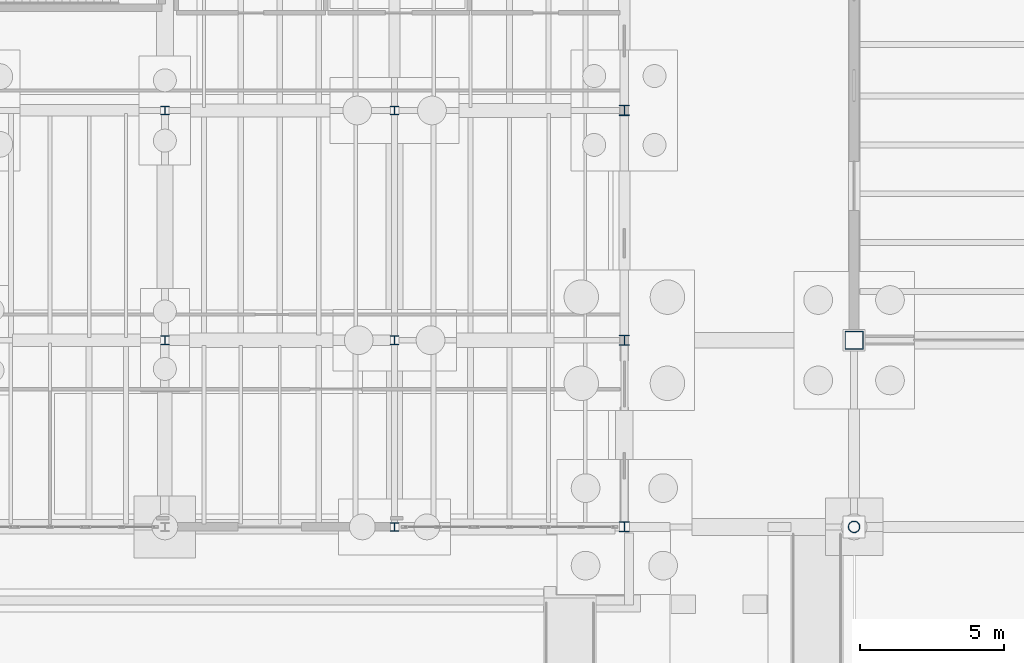
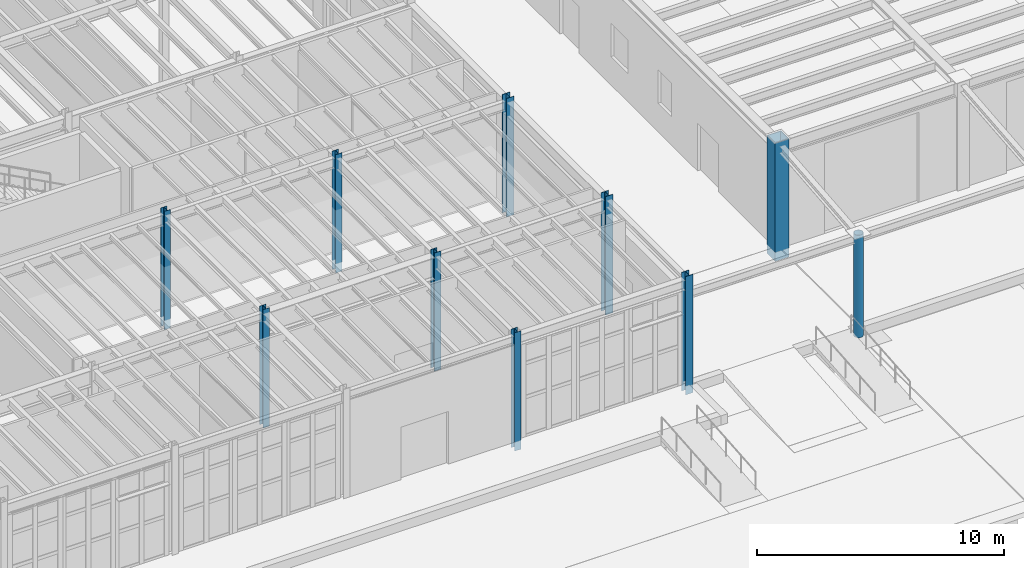
# One storey, part 12 of 86: 10 columns.
"""IFC4 building model written with IfcOpenShell, lengths in metres."""

from ifc_helpers import new_model, si_unit, direction, frame, origin, origin_2d, place, context, subcontext, project, spatial, hollow_rectangle, hollow_circle, i_section, extrude, material, material_profile, profile_set, type_object, element, save


model = new_model("IFC4")

# Units and contexts
model_context = context("Model", 3, precision=1e-05, world=origin(), true_north=direction((0.0, 1.0)))
body_context = subcontext(model_context, "Body", "Model", "MODEL_VIEW")
ifc_project = project(units=[si_unit("LENGTHUNIT", "METRE"), si_unit("AREAUNIT", "SQUARE_METRE"), si_unit("VOLUMEUNIT", "CUBIC_METRE"), si_unit("PLANEANGLEUNIT", "RADIAN"), si_unit("MASSUNIT", "GRAM", prefix="KILO"), si_unit("THERMODYNAMICTEMPERATUREUNIT", "KELVIN"), si_unit("POWERUNIT", "WATT")], contexts=[model_context])

# Site, building, storey
site_placement = place(None, origin())
site = spatial("IfcSite", under=ifc_project, at=site_placement, CompositionType="ELEMENT")
building_placement = place(site_placement, origin())
building = spatial("IfcBuilding", under=site, at=building_placement, Name="Zhenchuan Central Fire Station", CompositionType="ELEMENT")
storey_placement = place(building_placement, frame((0.0, 0.0, 0.449951171875)))
storey = spatial("IfcBuildingStorey", under=building, at=storey_placement, Name="L01", CompositionType="ELEMENT", Elevation=0.449951171875)

# Columns
ifc_material = material(Name="Steel Q355B", Category="steel")
ifc_material_profile_1 = material_profile(ifc_material, hollow_rectangle(XDim=0.64990234375, YDim=0.64990234375, WallThickness=0.031982421875, at=origin_2d()), Name="BOX 650x650x32")
ifc_profile_set_1 = profile_set([ifc_material_profile_1], Name="Steel Q355B")
column_type_1 = type_object("IfcColumnType", Name="COL-BOX650", PredefinedType="COLUMN", material=ifc_profile_set_1)
column_1_placement = place(storey_placement, frame((56.0, 6.5, -0.449951171875), z_axis=(0.0, 0.0, 1.0), x_axis=(1.0, 0.0, 0.0)))
element("IfcColumn", 1, at=column_1_placement, inside=storey, type_object=column_type_1, Name="L01 Column 065", PredefinedType="COLUMN", context=body_context, shape_type="SweptSolid", body=[
    extrude(hollow_rectangle(XDim=0.64990234375, YDim=0.64990234375, WallThickness=0.031982421875, at=origin_2d()), origin(), (0.0, 0.0, 1.0), 5.85009765625),
])
ifc_material_profile_2 = material_profile(ifc_material, hollow_circle(Radius=0.203125, WallThickness=0.01611328125, at=origin_2d()), Name="CHS 406.4x16")
ifc_profile_set_2 = profile_set([ifc_material_profile_2], Name="Steel Q355B")
column_type_2 = type_object("IfcColumnType", Name="COL-CHS406", PredefinedType="COLUMN", material=ifc_profile_set_2)
column_2_placement = place(storey_placement, frame((56.0, 0.0, -0.449951171875), z_axis=(0.0, 0.0, 1.0), x_axis=(1.0, 0.0, 0.0)))
element("IfcColumn", 2, at=column_2_placement, inside=storey, type_object=column_type_2, Name="L01 Column 064", PredefinedType="COLUMN", context=body_context, shape_type="SweptSolid", body=[
    extrude(hollow_circle(Radius=0.203125, WallThickness=0.01611328125, at=origin_2d()), origin(), (0.0, 0.0, 1.0), 5.06005859375),
])
ifc_material_profile_3 = material_profile(ifc_material, i_section(OverallWidth=0.300048828125, OverallDepth=0.300048828125, WebThickness=0.010009765625, FlangeThickness=0.014892578125, FilletRadius=0.01806640625, at=origin_2d()), Name="HW 300x300")
ifc_profile_set_3 = profile_set([ifc_material_profile_3], Name="Steel Q355B")
column_type_3 = type_object("IfcColumnType", Name="COL-HW300", PredefinedType="COLUMN", material=ifc_profile_set_3)
column_3_placement = place(storey_placement, frame((40.0, 0.0, -0.449951171875), z_axis=(0.0, 0.0, 1.0), x_axis=(1.0, 0.0, 0.0)))
element("IfcColumn", 3, at=column_3_placement, inside=storey, type_object=column_type_3, Name="L01 Column 046", PredefinedType="COLUMN", context=body_context, shape_type="SweptSolid", body=[
    extrude(i_section(OverallWidth=0.300048828125, OverallDepth=0.300048828125, WebThickness=0.010009765625, FlangeThickness=0.014892578125, FilletRadius=0.01806640625, at=origin_2d()), origin(), (0.0, 0.0, 1.0), 5.85009765625),
])
ifc_material_profile_4 = material_profile(ifc_material, i_section(OverallWidth=0.300048828125, OverallDepth=0.300048828125, WebThickness=0.010009765625, FlangeThickness=0.014892578125, FilletRadius=0.01806640625, at=origin_2d()), Name="HW 300x300")
ifc_profile_set_4 = profile_set([ifc_material_profile_4], Name="Steel Q355B")
column_type_4 = type_object("IfcColumnType", Name="COL-HW300-INT", PredefinedType="COLUMN", material=ifc_profile_set_4)
for number, where, z_axis, x_axis, name in (
    (4, (32.0, 6.5, -0.449951171875), (0.0, 0.0, 1.0), (1.0, 0.0, 0.0), "L01 Column 038"),
    (5, (32.0, 14.5, -0.449951171875), (0.0, 0.0, 1.0), (1.0, 0.0, 0.0), "L01 Column 039"),
    (6, (40.0, 6.5, -0.449951171875), (0.0, 0.0, 1.0), (1.0, 0.0, 0.0), "L01 Column 047"),
    (7, (40.0, 14.5, -0.449951171875), (0.0, 0.0, 1.0), (1.0, 0.0, 0.0), "L01 Column 048"),
):
    element("IfcColumn", number, at=place(storey_placement, frame(where, z_axis=z_axis, x_axis=x_axis)), inside=storey, type_object=column_type_4, Name=name, PredefinedType="COLUMN", context=body_context, shape_type="SweptSolid", body=[
        extrude(i_section(OverallWidth=0.300048828125, OverallDepth=0.300048828125, WebThickness=0.010009765625, FlangeThickness=0.014892578125, FilletRadius=0.01806640625, at=origin_2d()), origin(), (0.0, 0.0, 1.0), 5.85009765625),
    ])
ifc_material_profile_5 = material_profile(ifc_material, i_section(OverallWidth=0.35009765625, OverallDepth=0.35009765625, WebThickness=0.011962890625, FlangeThickness=0.01904296875, FilletRadius=0.02001953125, at=origin_2d()), Name="HW 350x350")
ifc_profile_set_5 = profile_set([ifc_material_profile_5], Name="Steel Q355B")
column_type_5 = type_object("IfcColumnType", Name="COL-HW350", PredefinedType="COLUMN", material=ifc_profile_set_5)
column_4_placement = place(storey_placement, frame((48.0, 0.0, -0.449951171875), z_axis=(0.0, 0.0, 1.0), x_axis=(1.0, 0.0, 0.0)))
element("IfcColumn", 8, at=column_4_placement, inside=storey, type_object=column_type_5, Name="L01 Column 055", PredefinedType="COLUMN", context=body_context, shape_type="SweptSolid", body=[
    extrude(i_section(OverallWidth=0.35009765625, OverallDepth=0.35009765625, WebThickness=0.011962890625, FlangeThickness=0.01904296875, FilletRadius=0.02001953125, at=origin_2d()), origin(), (0.0, 0.0, 1.0), 5.85009765625),
])
ifc_material_profile_6 = material_profile(ifc_material, i_section(OverallWidth=0.35009765625, OverallDepth=0.35009765625, WebThickness=0.011962890625, FlangeThickness=0.01904296875, FilletRadius=0.02001953125, at=origin_2d()), Name="HW 350x350")
ifc_profile_set_6 = profile_set([ifc_material_profile_6], Name="Steel Q355B")
column_type_6 = type_object("IfcColumnType", Name="COL-HW350-INT", PredefinedType="COLUMN", material=ifc_profile_set_6)
for number, where, z_axis, x_axis, name in (
    (9, (48.0, 6.5, -0.449951171875), (0.0, 0.0, 1.0), (1.0, 0.0, 0.0), "L01 Column 056"),
    (10, (48.0, 14.5, -0.449951171875), (0.0, 0.0, 1.0), (1.0, 0.0, 0.0), "L01 Column 057"),
):
    element("IfcColumn", number, at=place(storey_placement, frame(where, z_axis=z_axis, x_axis=x_axis)), inside=storey, type_object=column_type_6, Name=name, PredefinedType="COLUMN", context=body_context, shape_type="SweptSolid", body=[
        extrude(i_section(OverallWidth=0.35009765625, OverallDepth=0.35009765625, WebThickness=0.011962890625, FlangeThickness=0.01904296875, FilletRadius=0.02001953125, at=origin_2d()), origin(), (0.0, 0.0, 1.0), 5.85009765625),
    ])

save(model, "model.ifc")
